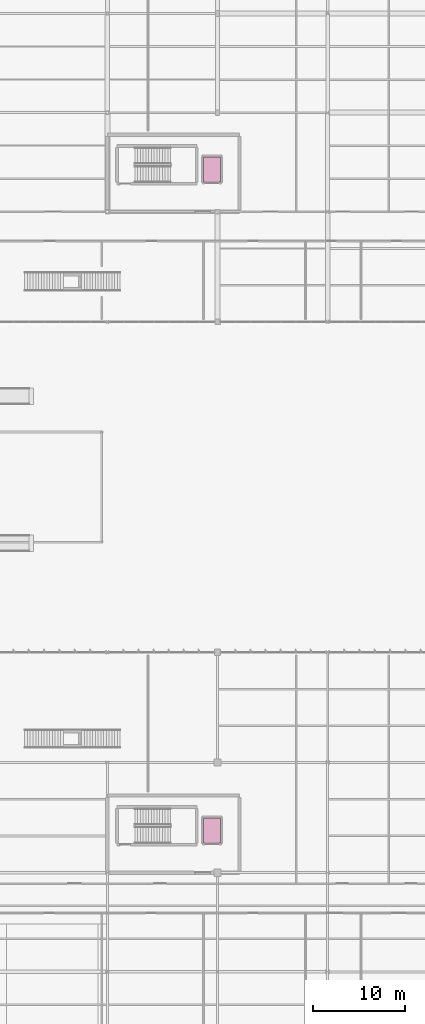
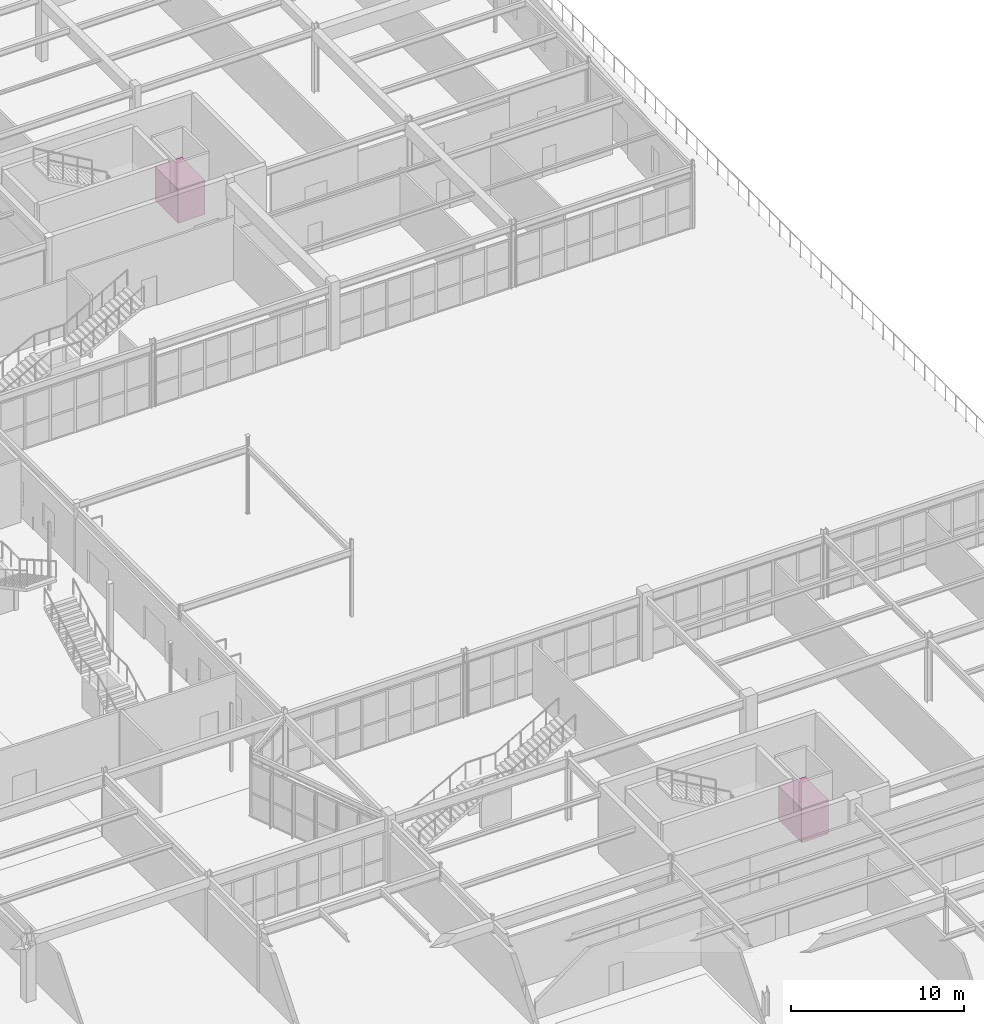
# One storey, part 199 of 199: 2 transport elements.
"""IFC4 building model written with IfcOpenShell, lengths in metres."""

from ifc_helpers import new_model, si_unit, direction, frame, origin, origin_2d, place, context, subcontext, project, spatial, rectangle, extrude, material, type_object, element, save


model = new_model("IFC4")

# Units and contexts
model_context = context("Model", 3, precision=1e-05, world=origin(), true_north=direction((0.0, 1.0)))
body_context = subcontext(model_context, "Body", "Model", "MODEL_VIEW")
ifc_project = project(units=[si_unit("LENGTHUNIT", "METRE"), si_unit("AREAUNIT", "SQUARE_METRE"), si_unit("VOLUMEUNIT", "CUBIC_METRE"), si_unit("PLANEANGLEUNIT", "RADIAN"), si_unit("MASSUNIT", "GRAM", prefix="KILO")], contexts=[model_context])

# Site, building, storey
site_placement = place(None, origin())
site = spatial("IfcSite", under=ifc_project, at=site_placement, CompositionType="ELEMENT")
building_placement = place(site_placement, origin())
building = spatial("IfcBuilding", under=site, at=building_placement, Name="Tarnwether General Hospital", CompositionType="ELEMENT")
storey_placement = place(building_placement, origin())
storey = spatial("IfcBuildingStorey", under=building, at=storey_placement, Name="L00", CompositionType="ELEMENT", Elevation=0.0)

# Transport elements
ifc_material = material(Name="Anodised aluminium", Category="aluminium")
transport_element_type = type_object("IfcTransportElementType", Name="LF-PAS-PB", PredefinedType="ELEVATOR", material=ifc_material)
for number, where, z_axis, x_axis, name in (
    (1, (167.39990234375, 26.199951171875, 0.0), (0.0, 0.0, 1.0), (1.0, 0.0, 0.0), "Hospital Lift L-05"),
    (2, (167.39990234375, 98.199951171875, 0.0), (0.0, 0.0, 1.0), (1.0, 0.0, 0.0), "Hospital Lift L-06"),
):
    element("IfcTransportElement", number, at=place(storey_placement, frame(where, z_axis=z_axis, x_axis=x_axis)), inside=storey, type_object=transport_element_type, Name=name, PredefinedType="ELEVATOR", context=body_context, shape_type="SweptSolid", body=[
        extrude(rectangle(XDim=1.800048828125, YDim=2.699951171875, at=origin_2d()), origin(), (0.0, 0.0, 1.0), 2.39990234375),
    ])

save(model, "model.ifc")
